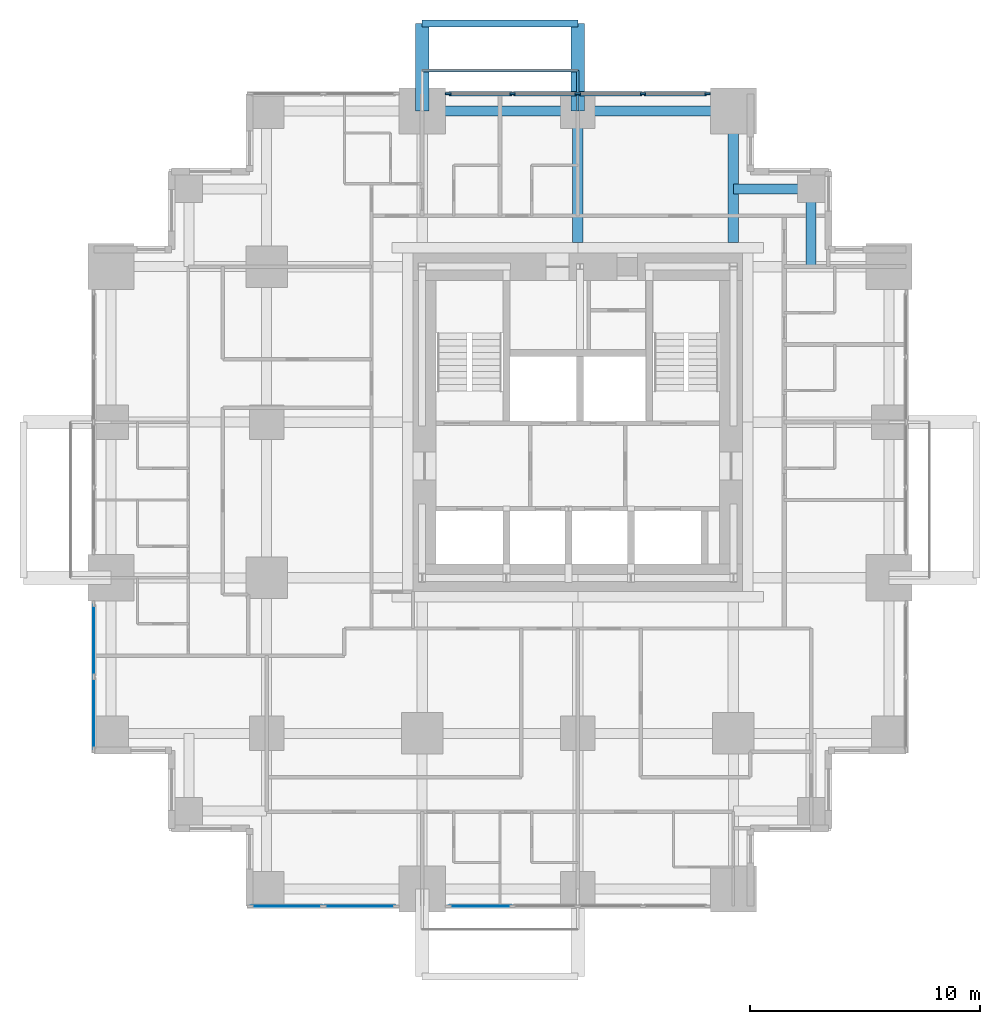
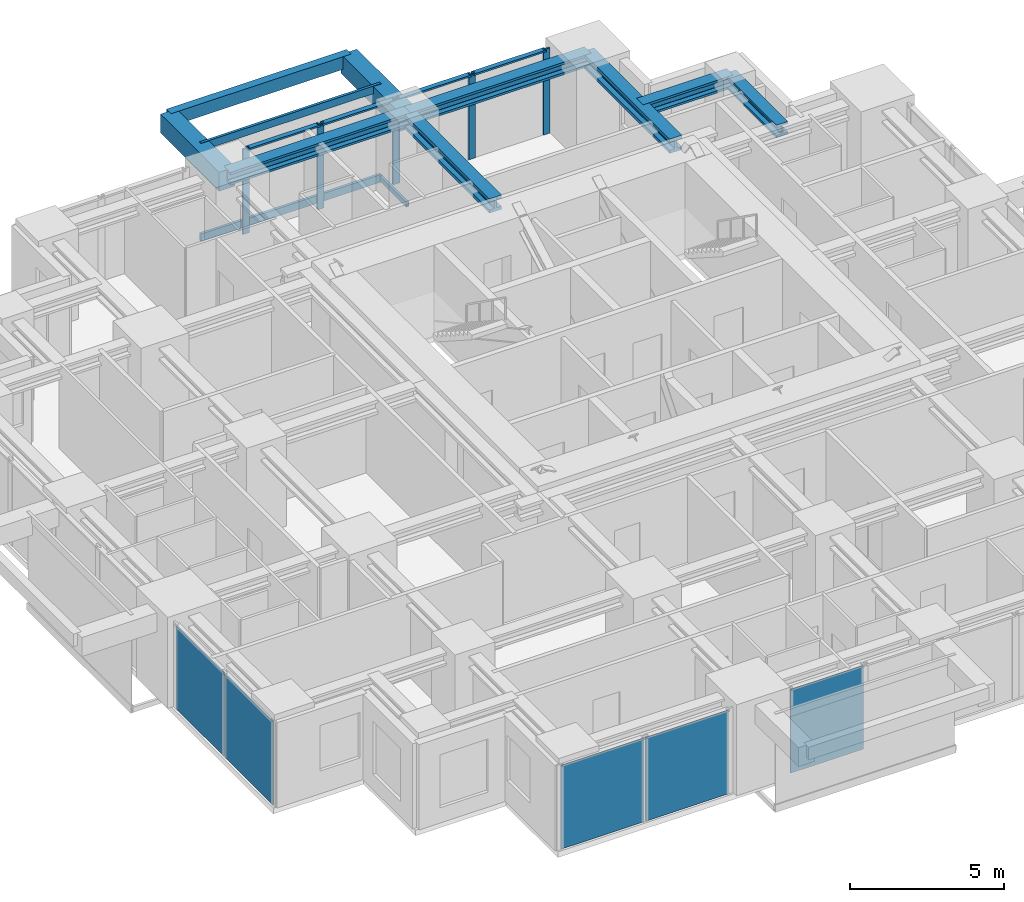
# One storey, part 4 of 10: 12 members, 9 beams, 5 plates, 4 elements without a shape of their own.
"""IFC4 building model written with IfcOpenShell, lengths in metres."""

from ifc_helpers import new_model, si_unit, direction, frame, origin, origin_2d, place, context, subcontext, project, spatial, rectangle, hollow_rectangle, i_section, extrude, material, layer, layer_set, material_profile, profile_set, type_object, element, aggregate, save


model = new_model("IFC4")

# Units and contexts
model_context = context("Model", 3, precision=1e-05, world=origin(), true_north=direction((0.0, 1.0)))
body_context = subcontext(model_context, "Body", "Model", "MODEL_VIEW")
ifc_project = project(units=[si_unit("LENGTHUNIT", "METRE"), si_unit("AREAUNIT", "SQUARE_METRE"), si_unit("VOLUMEUNIT", "CUBIC_METRE"), si_unit("PLANEANGLEUNIT", "RADIAN"), si_unit("MASSUNIT", "GRAM", prefix="KILO")], contexts=[model_context])

# Site, building, storey
site_placement = place(None, origin())
site = spatial("IfcSite", under=ifc_project, at=site_placement, CompositionType="ELEMENT")
building_placement = place(site_placement, origin())
building = spatial("IfcBuilding", under=site, at=building_placement, Name="Nyansa Garden Tower", CompositionType="ELEMENT")
storey_placement = place(building_placement, frame((0.0, 0.0, 145.800048828125)))
storey = spatial("IfcBuildingStorey", under=building, at=storey_placement, Name="L39", CompositionType="ELEMENT", Elevation=145.800048828125)

# Beams
ifc_material_1 = material(Name="Concrete C70/85", Category="concrete")
ifc_material_profile_1 = material_profile(ifc_material_1, rectangle(XDim=0.60009765625, YDim=0.75, at=origin_2d()), Name="RC 600x750")
ifc_profile_set_1 = profile_set([ifc_material_profile_1], Name="Concrete C70/85")
beam_type_1 = type_object("IfcBeamType", Name="Balcony cantilever beam CB1 RC 600x750", PredefinedType="BEAM", material=ifc_profile_set_1)
for number, where, z_axis, x_axis, name in (
    (1, (13.5, 33.75, 2.98486328125), (0.0, 1.0, 0.0), (-1.0, 0.0, 0.0), "Balcony cantilever beam L40"),
    (2, (20.25, 33.75, 2.98486328125), (0.0, 1.0, 0.0), (-1.0, 0.0, 0.0), "Balcony cantilever beam L40"),
):
    element("IfcBeam", number, at=place(storey_placement, frame(where, z_axis=z_axis, x_axis=x_axis)), inside=storey, type_object=beam_type_1, Name=name, PredefinedType="BEAM", context=body_context, shape_type="SweptSolid", body=[
        extrude(rectangle(XDim=0.60009765625, YDim=0.75, at=origin_2d()), origin(), (0.0, 0.0, 1.0), 3.800048828125),
    ])
ifc_material_2 = material(Name="Concrete C70/85", Category="concrete")
ifc_material_profile_2 = material_profile(ifc_material_2, rectangle(XDim=0.300048828125, YDim=0.5, at=origin_2d()), Name="RC 300x500")
ifc_profile_set_2 = profile_set([ifc_material_profile_2], Name="Concrete C70/85")
beam_type_2 = type_object("IfcBeamType", Name="Balcony edge beam BE1 RC 300x500", PredefinedType="BEAM", material=ifc_profile_set_2)
beam_placement = place(storey_placement, frame((13.5, 37.550048828125, 3.10986328125), z_axis=(1.0, 0.0, 0.0), x_axis=(0.0, 1.0, 0.0)))
element("IfcBeam", 3, at=beam_placement, inside=storey, type_object=beam_type_2, Name="Balcony edge beam L40", PredefinedType="BEAM", context=body_context, shape_type="SweptSolid", body=[
    extrude(rectangle(XDim=0.300048828125, YDim=0.5, at=origin_2d()), origin(), (0.0, 0.0, 1.0), 6.75),
])

# Curtain wall, members
ifc_material_3 = material(Name="Black anodised aluminium, dark tinted double glazing", Category="aluminium")
curtain_wall_type = type_object("IfcCurtainWallType", Name="Inner skin curtain wall ISW-C", PredefinedType="USERDEFINED", material=ifc_material_3)
curtain_wall_1_placement = place(storey_placement, origin())
curtain_wall_1 = element("IfcCurtainWall", 4, at=curtain_wall_1_placement, inside=storey, type_object=curtain_wall_type, Name="Inner skin curtain wall L39 N", ObjectType="UNITISED CURTAIN WALL", PredefinedType="USERDEFINED")
ifc_material_4 = material(Name="Black anodised aluminium", Category="aluminium")
ifc_material_profile_3 = material_profile(ifc_material_4, rectangle(XDim=0.070068359375, YDim=0.25, at=origin_2d()), Name="Mullion 250x70")
ifc_profile_set_3 = profile_set([ifc_material_profile_3], Name="Black anodised aluminium")
member_type_1 = type_object("IfcMemberType", Name="Mullion ISW-C 250x70", PredefinedType="MULLION", material=ifc_profile_set_3)
member_1_placement = place(storey_placement, frame((25.875, 34.5, 0.0), z_axis=(0.0, 0.0, 1.0), x_axis=(0.0, -1.0, 0.0)))
member_1 = element("IfcMember", 5, at=member_1_placement, type_object=member_type_1, Name="ISW-C mullion 1", PredefinedType="MULLION", context=body_context, shape_type="SweptSolid", body=[
    extrude(rectangle(XDim=0.070068359375, YDim=0.25, at=origin_2d()), origin(), (0.0, 0.0, 1.0), 3.375),
])
member_2_placement = place(storey_placement, frame((23.080078125, 34.5, 0.0), z_axis=(0.0, 0.0, 1.0), x_axis=(0.0, -1.0, 0.0)))
member_2 = element("IfcMember", 6, at=member_2_placement, type_object=member_type_1, Name="ISW-C mullion 2", PredefinedType="MULLION", context=body_context, shape_type="SweptSolid", body=[
    extrude(rectangle(XDim=0.070068359375, YDim=0.25, at=origin_2d()), origin(), (0.0, 0.0, 1.0), 3.375),
])
member_3_placement = place(storey_placement, frame((20.25, 34.5, 0.0), z_axis=(0.0, 0.0, 1.0), x_axis=(0.0, -1.0, 0.0)))
member_3 = element("IfcMember", 7, at=member_3_placement, type_object=member_type_1, Name="ISW-C mullion 3", PredefinedType="MULLION", context=body_context, shape_type="SweptSolid", body=[
    extrude(rectangle(XDim=0.070068359375, YDim=0.25, at=origin_2d()), origin(), (0.0, 0.0, 1.0), 3.375),
])
member_4_placement = place(storey_placement, frame((17.419921875, 34.5, 0.0), z_axis=(0.0, 0.0, 1.0), x_axis=(0.0, -1.0, 0.0)))
member_4 = element("IfcMember", 8, at=member_4_placement, type_object=member_type_1, Name="ISW-C mullion 4", PredefinedType="MULLION", context=body_context, shape_type="SweptSolid", body=[
    extrude(rectangle(XDim=0.070068359375, YDim=0.25, at=origin_2d()), origin(), (0.0, 0.0, 1.0), 3.375),
])
member_5_placement = place(storey_placement, frame((14.625, 34.5, 0.0), z_axis=(0.0, 0.0, 1.0), x_axis=(0.0, -1.0, 0.0)))
member_5 = element("IfcMember", 9, at=member_5_placement, type_object=member_type_1, Name="ISW-C mullion 5", PredefinedType="MULLION", context=body_context, shape_type="SweptSolid", body=[
    extrude(rectangle(XDim=0.070068359375, YDim=0.25, at=origin_2d()), origin(), (0.0, 0.0, 1.0), 3.375),
])

# Members
ifc_material_5 = material(Name="Steel S355, black powder coated", Category="steel")
ifc_material_profile_4 = material_profile(ifc_material_5, hollow_rectangle(XDim=0.10009765625, YDim=0.199951171875, WallThickness=0.008056640625, at=origin_2d()), Name="RHS 200x100x8")
ifc_profile_set_4 = profile_set([ifc_material_profile_4], Name="Steel S355, black powder coated")
member_type_2 = type_object("IfcMemberType", Name="Outer skin bracket arm RHS 200x100x8", PredefinedType="USERDEFINED", material=ifc_profile_set_4)
member_6_placement = place(storey_placement, frame((20.25, 33.75, -0.375), z_axis=(0.0, 1.0, 0.0), x_axis=(-1.0, 0.0, 0.0)))
element("IfcMember", 10, at=member_6_placement, inside=storey, type_object=member_type_2, Name="Outer skin bracket arm", ObjectType="OUTER SKIN BRACKET", PredefinedType="USERDEFINED", context=body_context, shape_type="SweptSolid", body=[
    extrude(hollow_rectangle(XDim=0.10009765625, YDim=0.199951171875, WallThickness=0.008056640625, at=origin_2d()), origin(), (0.0, 0.0, 1.0), 1.75),
])
ifc_material_6 = material(Name="Steel S355, black powder coated", Category="steel")
ifc_material_profile_5 = material_profile(ifc_material_6, hollow_rectangle(XDim=0.10009765625, YDim=0.300048828125, WallThickness=0.010009765625, at=origin_2d()), Name="RHS 300x100x10")
ifc_profile_set_5 = profile_set([ifc_material_profile_5], Name="Steel S355, black powder coated")
member_type_3 = type_object("IfcMemberType", Name="Outer skin rail RHS 300x100x10", PredefinedType="USERDEFINED", material=ifc_profile_set_5)
for number, where, z_axis, x_axis, name in (
    (11, (13.5, 35.5, -0.375), (1.0, 0.0, 0.0), (0.0, 1.0, 0.0), "Outer skin rail L39"),
    (12, (13.5, 35.5, 3.224853515625), (1.0, 0.0, 0.0), (0.0, 1.0, 0.0), "Outer skin rail L39 head"),
):
    element("IfcMember", number, at=place(storey_placement, frame(where, z_axis=z_axis, x_axis=x_axis)), inside=storey, type_object=member_type_3, Name=name, ObjectType="OUTER SKIN RAIL", PredefinedType="USERDEFINED", context=body_context, shape_type="SweptSolid", body=[
        extrude(hollow_rectangle(XDim=0.10009765625, YDim=0.300048828125, WallThickness=0.010009765625, at=origin_2d()), origin(), (0.0, 0.0, 1.0), 6.75),
    ])

# Beams
ifc_material_7 = material(Name="Steel S355", Category="steel")
ifc_material_profile_6 = material_profile(ifc_material_7, i_section(OverallWidth=0.4541015625, OverallDepth=0.569091796875, WebThickness=0.077880859375, FlangeThickness=0.125, FilletRadius=0.014892578125, at=origin_2d()), Name="HD 400x1086")
ifc_profile_set_6 = profile_set([ifc_material_profile_6], Name="Steel S355")
beam_type_3 = type_object("IfcBeamType", Name="Steel beam SCL-1086 HD 400x1086", PredefinedType="BEAM", material=ifc_profile_set_6)
for number, where, z_axis, x_axis, name in (
    (13, (20.25, 28.050048828125, 3.09033203125), (0.0, 1.0, 0.0), (-1.0, 0.0, 0.0), "Steel beam 5/28.050-5/J L40"),
    (14, (27.0, 28.050048828125, 3.09033203125), (0.0, 1.0, 0.0), (-1.0, 0.0, 0.0), "Steel beam 6/28.050-6/J L40"),
):
    element("IfcBeam", number, at=place(storey_placement, frame(where, z_axis=z_axis, x_axis=x_axis)), inside=storey, type_object=beam_type_3, Name=name, PredefinedType="BEAM", context=body_context, shape_type="SweptSolid", body=[
        extrude(i_section(OverallWidth=0.4541015625, OverallDepth=0.569091796875, WebThickness=0.077880859375, FlangeThickness=0.125, FilletRadius=0.014892578125, at=origin_2d()), origin(), (0.0, 0.0, 1.0), 5.699951171875),
    ])
ifc_material_8 = material(Name="Steel S355", Category="steel")
ifc_material_profile_7 = material_profile(ifc_material_8, i_section(OverallWidth=0.431884765625, OverallDepth=0.498046875, WebThickness=0.0556640625, FlangeThickness=0.0888671875, FilletRadius=0.014892578125, at=origin_2d()), Name="HD 400x744")
ifc_profile_set_7 = profile_set([ifc_material_profile_7], Name="Steel S355")
beam_type_4 = type_object("IfcBeamType", Name="Steel beam SEBC-744 HD 400x744", PredefinedType="BEAM", material=ifc_profile_set_7)
for number, where, z_axis, x_axis, name in (
    (15, (13.5, 33.75, 3.1259765625), (1.0, 0.0, 0.0), (0.0, 1.0, 0.0), "Steel edge beam 4/J-5/J L40"),
    (16, (20.25, 33.75, 3.1259765625), (1.0, 0.0, 0.0), (0.0, 1.0, 0.0), "Steel edge beam 5/J-6/J L40"),
):
    element("IfcBeam", number, at=place(storey_placement, frame(where, z_axis=z_axis, x_axis=x_axis)), inside=storey, type_object=beam_type_4, Name=name, PredefinedType="BEAM", context=body_context, shape_type="SweptSolid", body=[
        extrude(i_section(OverallWidth=0.431884765625, OverallDepth=0.498046875, WebThickness=0.0556640625, FlangeThickness=0.0888671875, FilletRadius=0.014892578125, at=origin_2d()), origin(), (0.0, 0.0, 1.0), 6.75),
    ])
ifc_material_9 = material(Name="Steel S355", Category="steel")
ifc_material_profile_8 = material_profile(ifc_material_9, i_section(OverallWidth=0.431884765625, OverallDepth=0.498046875, WebThickness=0.0556640625, FlangeThickness=0.0888671875, FilletRadius=0.014892578125, at=origin_2d()), Name="HD 400x744")
ifc_profile_set_8 = profile_set([ifc_material_profile_8], Name="Steel S355")
beam_type_5 = type_object("IfcBeamType", Name="Steel beam SSB1-744 HD 400x744", PredefinedType="BEAM", material=ifc_profile_set_8)
for number, where, z_axis, x_axis, name in (
    (17, (30.375, 30.375, 3.1259765625), (0.0, -1.0, 0.0), (1.0, 0.0, 0.0), "Steel step beam 30.375/30.375 L40"),
    (18, (30.375, 30.375, 3.1259765625), (-1.0, 0.0, 0.0), (0.0, -1.0, 0.0), "Steel step beam 30.375/30.375 L40"),
):
    element("IfcBeam", number, at=place(storey_placement, frame(where, z_axis=z_axis, x_axis=x_axis)), inside=storey, type_object=beam_type_5, Name=name, PredefinedType="BEAM", context=body_context, shape_type="SweptSolid", body=[
        extrude(i_section(OverallWidth=0.431884765625, OverallDepth=0.498046875, WebThickness=0.0556640625, FlangeThickness=0.0888671875, FilletRadius=0.014892578125, at=origin_2d()), origin(), (0.0, 0.0, 1.0), 3.375),
    ])

# Member
ifc_material_10 = material(Name="Black anodised aluminium", Category="aluminium")
ifc_material_profile_9 = material_profile(ifc_material_10, rectangle(XDim=0.179931640625, YDim=0.070068359375, at=origin_2d()), Name="Transom 180x70")
ifc_profile_set_9 = profile_set([ifc_material_profile_9], Name="Black anodised aluminium")
member_type_4 = type_object("IfcMemberType", Name="Transom ISW-C 180x70", PredefinedType="USERDEFINED", material=ifc_profile_set_9)
member_7_placement = place(storey_placement, frame((25.840087890625, 34.5, 3.33984375), z_axis=(-1.0, 0.0, 0.0), x_axis=(0.0, -1.0, 0.0)))
member_7 = element("IfcMember", 19, at=member_7_placement, type_object=member_type_4, Name="ISW-C transom 1", ObjectType="TRANSOM", PredefinedType="USERDEFINED", context=body_context, shape_type="SweptSolid", body=[
    extrude(rectangle(XDim=0.179931640625, YDim=0.070068359375, at=origin_2d()), origin(), (0.0, 0.0, 1.0), 2.72509765625),
])

member_8_placement = place(storey_placement, frame((23.044921875, 34.5, 3.33984375), z_axis=(-1.0, 0.0, 0.0), x_axis=(0.0, -1.0, 0.0)))
member_8 = element("IfcMember", 20, at=member_8_placement, type_object=member_type_4, Name="ISW-C transom 2", ObjectType="TRANSOM", PredefinedType="USERDEFINED", context=body_context, shape_type="SweptSolid", body=[
    extrude(rectangle(XDim=0.179931640625, YDim=0.070068359375, at=origin_2d()), origin(), (0.0, 0.0, 1.0), 2.760009765625),
])

member_9_placement = place(storey_placement, frame((20.215087890625, 34.5, 3.33984375), z_axis=(-1.0, 0.0, 0.0), x_axis=(0.0, -1.0, 0.0)))
member_9 = element("IfcMember", 21, at=member_9_placement, type_object=member_type_4, Name="ISW-C transom 3", ObjectType="TRANSOM", PredefinedType="USERDEFINED", context=body_context, shape_type="SweptSolid", body=[
    extrude(rectangle(XDim=0.179931640625, YDim=0.070068359375, at=origin_2d()), origin(), (0.0, 0.0, 1.0), 2.760009765625),
])

member_10_placement = place(storey_placement, frame((17.385009765625, 34.5, 3.33984375), z_axis=(-1.0, 0.0, 0.0), x_axis=(0.0, -1.0, 0.0)))
member_10 = element("IfcMember", 22, at=member_10_placement, type_object=member_type_4, Name="ISW-C transom 4", ObjectType="TRANSOM", PredefinedType="USERDEFINED", context=body_context, shape_type="SweptSolid", body=[
    extrude(rectangle(XDim=0.179931640625, YDim=0.070068359375, at=origin_2d()), origin(), (0.0, 0.0, 1.0), 2.72509765625),
])

aggregate(curtain_wall_1, [member_1, member_2, member_3, member_4, member_5, member_7, member_8, member_9, member_10])

# Curtain wall, plates
curtain_wall_2_placement = place(storey_placement, origin())
curtain_wall_2 = element("IfcCurtainWall", 23, at=curtain_wall_2_placement, inside=storey, type_object=curtain_wall_type, Name="Inner skin curtain wall L39 W", ObjectType="UNITISED CURTAIN WALL", PredefinedType="USERDEFINED")
ifc_material_11 = material(Name="Dark tinted laminated double glazing", Category="glass")
ifc_layer = layer(ifc_material_11, 0.0400390625)
ifc_layer_set = layer_set([ifc_layer], Name="Dark tinted vision panel VP-C")
plate_type = type_object("IfcPlateType", Name="Dark tinted vision panel VP-C", PredefinedType="CURTAIN_PANEL", material=ifc_layer_set)
plate_1_placement = place(storey_placement, frame((-0.75, 10.7900390625, 0.0), z_axis=(0.0, 0.0, 1.0), x_axis=(0.0, -1.0, 0.0)))
plate_1 = element("IfcPlate", 24, at=plate_1_placement, type_object=plate_type, Name="ISW-C panel 1", PredefinedType="CURTAIN_PANEL", context=body_context, shape_type="SweptSolid", body=[
    extrude(rectangle(XDim=3.10009765625, YDim=0.0400390625, at=origin_2d()), origin(), (0.0, 0.0, 1.0), 3.304931640625),
])
plate_2_placement = place(storey_placement, frame((-0.75, 7.6201171875, 0.0), z_axis=(0.0, 0.0, 1.0), x_axis=(0.0, -1.0, 0.0)))
plate_2 = element("IfcPlate", 25, at=plate_2_placement, type_object=plate_type, Name="ISW-C panel 2", PredefinedType="CURTAIN_PANEL", context=body_context, shape_type="SweptSolid", body=[
    extrude(rectangle(XDim=3.10009765625, YDim=0.0400390625, at=origin_2d()), origin(), (0.0, 0.0, 1.0), 3.304931640625),
])
aggregate(curtain_wall_2, [plate_1, plate_2])

curtain_wall_3_placement = place(storey_placement, origin())
curtain_wall_3 = element("IfcCurtainWall", 26, at=curtain_wall_3_placement, inside=storey, type_object=curtain_wall_type, Name="Inner skin curtain wall L39 S", ObjectType="UNITISED CURTAIN WALL", PredefinedType="USERDEFINED")
plate_3_placement = place(storey_placement, frame((7.6201171875, -0.75, 0.0), z_axis=(0.0, 0.0, 1.0), x_axis=(1.0, 0.0, 0.0)))
plate_3 = element("IfcPlate", 27, at=plate_3_placement, type_object=plate_type, Name="ISW-C panel 1", PredefinedType="CURTAIN_PANEL", context=body_context, shape_type="SweptSolid", body=[
    extrude(rectangle(XDim=3.10009765625, YDim=0.0400390625, at=origin_2d()), origin(), (0.0, 0.0, 1.0), 3.304931640625),
])
plate_4_placement = place(storey_placement, frame((10.7900390625, -0.75, 0.0), z_axis=(0.0, 0.0, 1.0), x_axis=(1.0, 0.0, 0.0)))
plate_4 = element("IfcPlate", 28, at=plate_4_placement, type_object=plate_type, Name="ISW-C panel 2", PredefinedType="CURTAIN_PANEL", context=body_context, shape_type="SweptSolid", body=[
    extrude(rectangle(XDim=3.10009765625, YDim=0.0400390625, at=origin_2d()), origin(), (0.0, 0.0, 1.0), 3.304931640625),
])
aggregate(curtain_wall_3, [plate_3, plate_4])

# Curtain wall, plate
curtain_wall_4_placement = place(storey_placement, origin())
curtain_wall_4 = element("IfcCurtainWall", 29, at=curtain_wall_4_placement, inside=storey, type_object=curtain_wall_type, Name="Inner skin curtain wall L39 S", ObjectType="UNITISED CURTAIN WALL", PredefinedType="USERDEFINED")
plate_5_placement = place(storey_placement, frame((16.0224609375, -0.75, 0.0), z_axis=(0.0, 0.0, 1.0), x_axis=(1.0, 0.0, 0.0)))
plate_5 = element("IfcPlate", 30, at=plate_5_placement, type_object=plate_type, Name="ISW-C panel 1", PredefinedType="CURTAIN_PANEL", context=body_context, shape_type="SweptSolid", body=[
    extrude(rectangle(XDim=2.72509765625, YDim=0.0400390625, at=origin_2d()), origin(), (0.0, 0.0, 1.0), 3.304931640625),
])
aggregate(curtain_wall_4, [plate_5])

save(model, "model.ifc")
